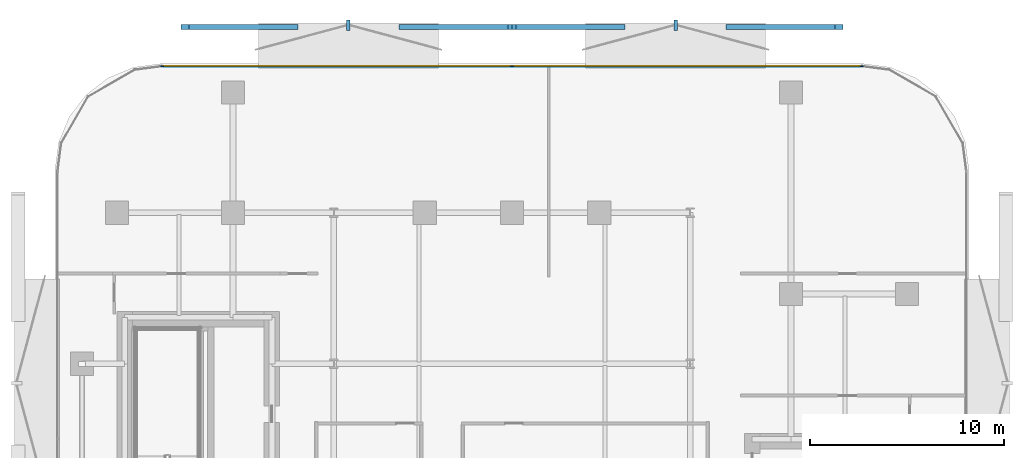
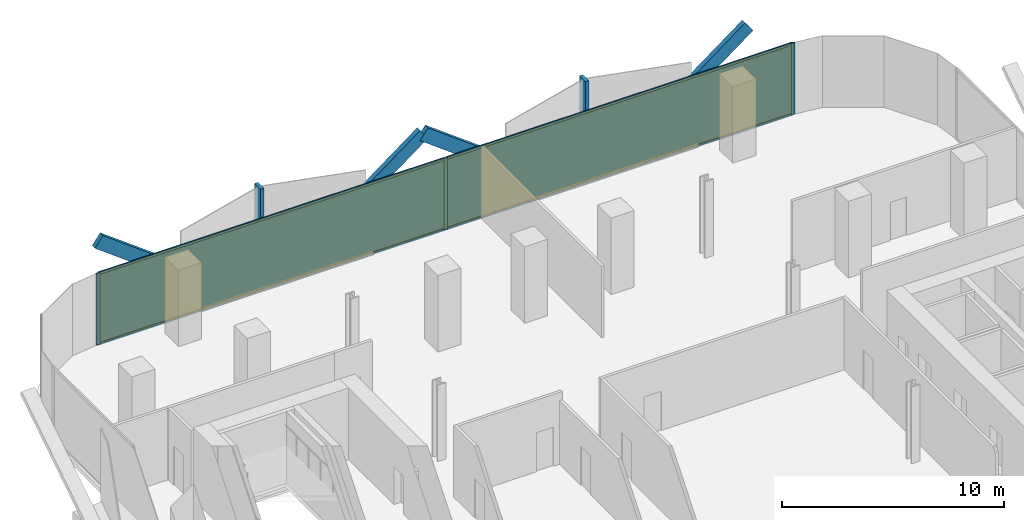
# One storey, part 10 of 15: 13 members, 2 plates, 1 curtain wall.
"""IFC4 building model written with IfcOpenShell, lengths in metres."""

from ifc_helpers import new_model, si_unit, direction, frame, frame_2d, origin, origin_2d, place, context, subcontext, project, spatial, rectangle, extrude, material, layer, layer_set, material_profile, profile_set, type_object, element, aggregate, save


model = new_model("IFC4")

# Units and contexts
model_context = context("Model", 3, precision=1e-05, world=origin(), true_north=direction((0.0, 1.0)))
body_context = subcontext(model_context, "Body", "Model", "MODEL_VIEW")
ifc_project = project(units=[si_unit("LENGTHUNIT", "METRE"), si_unit("AREAUNIT", "SQUARE_METRE"), si_unit("VOLUMEUNIT", "CUBIC_METRE"), si_unit("PLANEANGLEUNIT", "RADIAN"), si_unit("MASSUNIT", "GRAM", prefix="KILO")], contexts=[model_context])

# Member
ifc_material_1 = material(Name="Anodised Bronze Aluminium 6063-T6", Category="aluminium")
ifc_material_profile_1 = material_profile(ifc_material_1, rectangle(XDim=0.260009765625, YDim=0.699951171875, at=origin_2d()))
ifc_profile_set_1 = profile_set([ifc_material_profile_1], Name="Anodised Bronze Aluminium 6063-T6")
member_type_1 = type_object("IfcMemberType", Name="Bronze Diamond Solar-Screen Lattice Rib BDL-700", PredefinedType="MULLION", material=ifc_profile_set_1)
site_placement = place(None, origin())
building_placement = place(site_placement, origin())
storey_placement = place(building_placement, frame((0.0, 0.0, 101.60009765625)))
member_1_placement = place(storey_placement, frame((-5.63037109375, 28.199951171875, -0.130126953125), z_axis=(0.801557173533, 0.0, 0.597918136167), x_axis=(0.0, 1.0, 0.0)))
member_1 = element("IfcMember", 1, at=member_1_placement, type_object=member_type_1, Name="L23 Bronze Diamond Solar Screen Lattice Rib 133A", PredefinedType="MULLION", context=body_context, shape_type="SweptSolid", body=[
    extrude(rectangle(XDim=0.260009765625, YDim=0.699951171875, at=origin_2d()), origin(), (0.0, 0.0, 1.0), 7.024169921875),
])

member_2_placement = place(storey_placement, frame((-11.260498046875, 28.199951171875, -0.130126953125), z_axis=(-0.801557173533, 0.0, 0.597918136167), x_axis=(0.0, -1.0, 0.0)))
member_2 = element("IfcMember", 2, at=member_2_placement, type_object=member_type_1, Name="L23 Bronze Diamond Solar Screen Lattice Rib 133B", PredefinedType="MULLION", context=body_context, shape_type="SweptSolid", body=[
    extrude(rectangle(XDim=0.260009765625, YDim=0.699951171875, at=origin_2d()), origin(), (0.0, 0.0, 1.0), 7.024169921875),
])

member_3_placement = place(storey_placement, frame((11.260498046875, 28.199951171875, -0.130126953125), z_axis=(0.801557173533, 0.0, 0.597918136167), x_axis=(0.0, 1.0, 0.0)))
member_3 = element("IfcMember", 3, at=member_3_placement, type_object=member_type_1, Name="L23 Bronze Diamond Solar Screen Lattice Rib 134A", PredefinedType="MULLION", context=body_context, shape_type="SweptSolid", body=[
    extrude(rectangle(XDim=0.260009765625, YDim=0.699951171875, at=origin_2d()), origin(), (0.0, 0.0, 1.0), 7.024169921875),
])

member_4_placement = place(storey_placement, frame((5.63037109375, 28.199951171875, -0.130126953125), z_axis=(-0.801557173533, 0.0, 0.597918136167), x_axis=(0.0, -1.0, 0.0)))
member_4 = element("IfcMember", 4, at=member_4_placement, type_object=member_type_1, Name="L23 Bronze Diamond Solar Screen Lattice Rib 134B", PredefinedType="MULLION", context=body_context, shape_type="SweptSolid", body=[
    extrude(rectangle(XDim=0.260009765625, YDim=0.699951171875, at=origin_2d()), origin(), (0.0, 0.0, 1.0), 7.024169921875),
])

ifc_material_2 = material(Name="Anodised Bronze Aluminium 6063-T6", Category="aluminium")
ifc_material_profile_2 = material_profile(ifc_material_2, rectangle(XDim=0.179931640625, YDim=0.5400390625, at=origin_2d()))
ifc_profile_set_2 = profile_set([ifc_material_profile_2], Name="Anodised Bronze Aluminium 6063-T6")
member_type_2 = type_object("IfcMemberType", Name="Bronze Solar-Screen Vertical Fold Fin BSF-540", PredefinedType="MULLION", material=ifc_profile_set_2)
member_5_placement = place(storey_placement, frame((-8.4453125, 28.280029296875, -0.130126953125), z_axis=(0.0, 0.0, 1.0), x_axis=(1.0, 0.0, 0.0)))
member_5 = element("IfcMember", 5, at=member_5_placement, type_object=member_type_2, Name="L23 Bronze Solar Screen Vertical Fin 133", PredefinedType="MULLION", context=body_context, shape_type="SweptSolid", body=[
    extrude(rectangle(XDim=0.179931640625, YDim=0.5400390625, at=origin_2d()), origin(), (0.0, 0.0, 1.0), 4.199951171875),
])

member_6_placement = place(storey_placement, frame((8.4453125, 28.280029296875, -0.130126953125), z_axis=(0.0, 0.0, 1.0), x_axis=(1.0, 0.0, 0.0)))
member_6 = element("IfcMember", 6, at=member_6_placement, type_object=member_type_2, Name="L23 Bronze Solar Screen Vertical Fin 134", PredefinedType="MULLION", context=body_context, shape_type="SweptSolid", body=[
    extrude(rectangle(XDim=0.179931640625, YDim=0.5400390625, at=origin_2d()), origin(), (0.0, 0.0, 1.0), 4.199951171875),
])

ifc_material_3 = material(Name="Anodised Bronze Aluminium 6063-T6", Category="aluminium")
ifc_material_profile_3 = material_profile(ifc_material_3, rectangle(XDim=0.06494140625, YDim=0.175048828125, at=origin_2d()))
ifc_profile_set_3 = profile_set([ifc_material_profile_3], Name="Anodised Bronze Aluminium 6063-T6")
member_type_3 = type_object("IfcMemberType", Name="CW-Z2 Mullion 65x175", PredefinedType="MULLION", material=ifc_profile_set_3)
member_7_placement = place(storey_placement, frame((-18.058349609375, 26.159912109375, 0.0), z_axis=(0.0, 0.0, 1.0), x_axis=(0.0, 1.0, 0.0)))
member_7 = element("IfcMember", 7, at=member_7_placement, type_object=member_type_3, Name="CW-Z2 mullion 1", PredefinedType="MULLION", context=body_context, shape_type="SweptSolid", body=[
    extrude(rectangle(XDim=0.06494140625, YDim=0.175048828125, at=origin_2d()), origin(), (0.0, 0.0, 1.0), 3.93994140625),
])

member_8_placement = place(storey_placement, frame((0.0, 26.159912109375, 0.0), z_axis=(0.0, 0.0, 1.0), x_axis=(0.0, 1.0, 0.0)))
member_8 = element("IfcMember", 8, at=member_8_placement, type_object=member_type_3, Name="CW-Z2 mullion 2", PredefinedType="MULLION", context=body_context, shape_type="SweptSolid", body=[
    extrude(rectangle(XDim=0.06494140625, YDim=0.175048828125, at=origin_2d()), origin(), (0.0, 0.0, 1.0), 3.93994140625),
])

member_9_placement = place(storey_placement, frame((18.058349609375, 26.159912109375, 0.0), z_axis=(0.0, 0.0, 1.0), x_axis=(0.0, 1.0, 0.0)))
member_9 = element("IfcMember", 9, at=member_9_placement, type_object=member_type_3, Name="CW-Z2 mullion 3", PredefinedType="MULLION", context=body_context, shape_type="SweptSolid", body=[
    extrude(rectangle(XDim=0.06494140625, YDim=0.175048828125, at=origin_2d()), origin(), (0.0, 0.0, 1.0), 3.93994140625),
])

ifc_material_4 = material(Name="Anodised Bronze Aluminium 6063-T6", Category="aluminium")
ifc_material_profile_4 = material_profile(ifc_material_4, rectangle(XDim=0.06494140625, YDim=0.135009765625, at=origin_2d()))
ifc_profile_set_4 = profile_set([ifc_material_profile_4], Name="Anodised Bronze Aluminium 6063-T6")
member_type_4 = type_object("IfcMemberType", Name="CW-Z2 Transom 65x135", PredefinedType="USERDEFINED", material=ifc_profile_set_4)
member_10_placement = place(storey_placement, frame((-18.02587890625, 26.159912109375, 0.032470703125), z_axis=(1.0, 0.0, 0.0), x_axis=(0.0, 1.0, 0.0)))
member_10 = element("IfcMember", 10, at=member_10_placement, type_object=member_type_4, Name="CW-Z2 transom 1.1", ObjectType="TRANSOM", PredefinedType="USERDEFINED", context=body_context, shape_type="SweptSolid", body=[
    extrude(rectangle(XDim=0.06494140625, YDim=0.135009765625, at=origin_2d()), origin(), (0.0, 0.0, 1.0), 17.993408203125),
])

member_11_placement = place(storey_placement, frame((-18.02587890625, 26.159912109375, 3.907470703125), z_axis=(1.0, 0.0, 0.0), x_axis=(0.0, 1.0, 0.0)))
member_11 = element("IfcMember", 11, at=member_11_placement, type_object=member_type_4, Name="CW-Z2 transom 1.2", ObjectType="TRANSOM", PredefinedType="USERDEFINED", context=body_context, shape_type="SweptSolid", body=[
    extrude(rectangle(XDim=0.06494140625, YDim=0.135009765625, at=origin_2d()), origin(), (0.0, 0.0, 1.0), 17.993408203125),
])

member_12_placement = place(storey_placement, frame((0.032470703125, 26.159912109375, 0.032470703125), z_axis=(1.0, 0.0, 0.0), x_axis=(0.0, 1.0, 0.0)))
member_12 = element("IfcMember", 12, at=member_12_placement, type_object=member_type_4, Name="CW-Z2 transom 2.1", ObjectType="TRANSOM", PredefinedType="USERDEFINED", context=body_context, shape_type="SweptSolid", body=[
    extrude(rectangle(XDim=0.06494140625, YDim=0.135009765625, at=origin_2d()), origin(), (0.0, 0.0, 1.0), 17.993408203125),
])

member_13_placement = place(storey_placement, frame((0.032470703125, 26.159912109375, 3.907470703125), z_axis=(1.0, 0.0, 0.0), x_axis=(0.0, 1.0, 0.0)))
member_13 = element("IfcMember", 13, at=member_13_placement, type_object=member_type_4, Name="CW-Z2 transom 2.2", ObjectType="TRANSOM", PredefinedType="USERDEFINED", context=body_context, shape_type="SweptSolid", body=[
    extrude(rectangle(XDim=0.06494140625, YDim=0.135009765625, at=origin_2d()), origin(), (0.0, 0.0, 1.0), 17.993408203125),
])

# Plate
ifc_material_5 = material(Name="Low-E Solar Control Laminated Glass", Category="glass")
ifc_layer_1 = layer(ifc_material_5, 0.028076171875, Name="Low-E Solar Control Laminated Glass")
ifc_layer_set_1 = layer_set([ifc_layer_1], Name="Low-E Solar Control Laminated Glass")
plate_type = type_object("IfcPlateType", Name="CW-Z2 Low-E Double Glazed Panel 28mm", PredefinedType="CURTAIN_PANEL", material=ifc_layer_set_1)
plate_1_placement = place(storey_placement, frame((-9.029052734375, 26.159912109375, 0.06494140625), z_axis=(0.0, 0.0, 1.0), x_axis=(1.0, 0.0, 0.0)))
plate_1 = element("IfcPlate", 14, at=plate_1_placement, type_object=plate_type, Name="CW-Z2 panel 1.1", PredefinedType="CURTAIN_PANEL", context=body_context, shape_type="SweptSolid", body=[
    extrude(rectangle(XDim=17.993408203125, YDim=0.028076171875, at=origin_2d()), origin(), (0.0, 0.0, 1.0), 3.81005859375),
])

plate_2_placement = place(storey_placement, frame((9.029052734375, 26.159912109375, 0.06494140625), z_axis=(0.0, 0.0, 1.0), x_axis=(1.0, 0.0, 0.0)))
plate_2 = element("IfcPlate", 15, at=plate_2_placement, type_object=plate_type, Name="CW-Z2 panel 2.1", PredefinedType="CURTAIN_PANEL", context=body_context, shape_type="SweptSolid", body=[
    extrude(rectangle(XDim=17.993408203125, YDim=0.028076171875, at=origin_2d()), origin(), (0.0, 0.0, 1.0), 3.81005859375),
])

# Site, building, storey
site = spatial("IfcSite", under=ifc_project, at=site_placement, CompositionType="ELEMENT")
building = spatial("IfcBuilding", under=site, at=building_placement, Name="Khairoan Windgate Tower", CompositionType="ELEMENT")
storey = spatial("IfcBuildingStorey", under=building, at=storey_placement, Name="L23", CompositionType="ELEMENT", Elevation=101.60009765625)

# Curtain wall
ifc_material_6 = material(Name="Anodised Bronze Aluminium 6063-T6", Category="aluminium")
ifc_layer_2 = layer(ifc_material_6, 0.175048828125, Name="Anodised Bronze Aluminium 6063-T6")
ifc_layer_set_2 = layer_set([ifc_layer_2], Name="Anodised Bronze Aluminium 6063-T6")
curtain_wall_type = type_object("IfcCurtainWallType", Name="Mid-Rise Office Unitised Curtain Wall CW-Z2", PredefinedType="NOTDEFINED", material=ifc_layer_set_2)
curtain_wall_placement = place(storey_placement, frame((-18.0908203125, 26.159912109375, 0.0), z_axis=(0.0, 0.0, 1.0), x_axis=(1.0, 0.0, 0.0)))
curtain_wall = element("IfcCurtainWall", 16, at=curtain_wall_placement, inside=storey, type_object=curtain_wall_type, Name="L23 Unitised Curtain Wall 11", PredefinedType="NOTDEFINED", context=body_context, shape_type="SweptSolid", body=[
    extrude(rectangle(XDim=36.181640625, YDim=0.010009765625, at=frame_2d((18.0908203125, 0.0))), origin(), (0.0, 0.0, 1.0), 3.93994140625),
])

aggregate(curtain_wall, [member_7, member_8, member_9, member_10, member_11, plate_1, member_12, member_13, plate_2, member_1, member_2, member_5, member_3, member_4, member_6])

save(model, "model.ifc")
